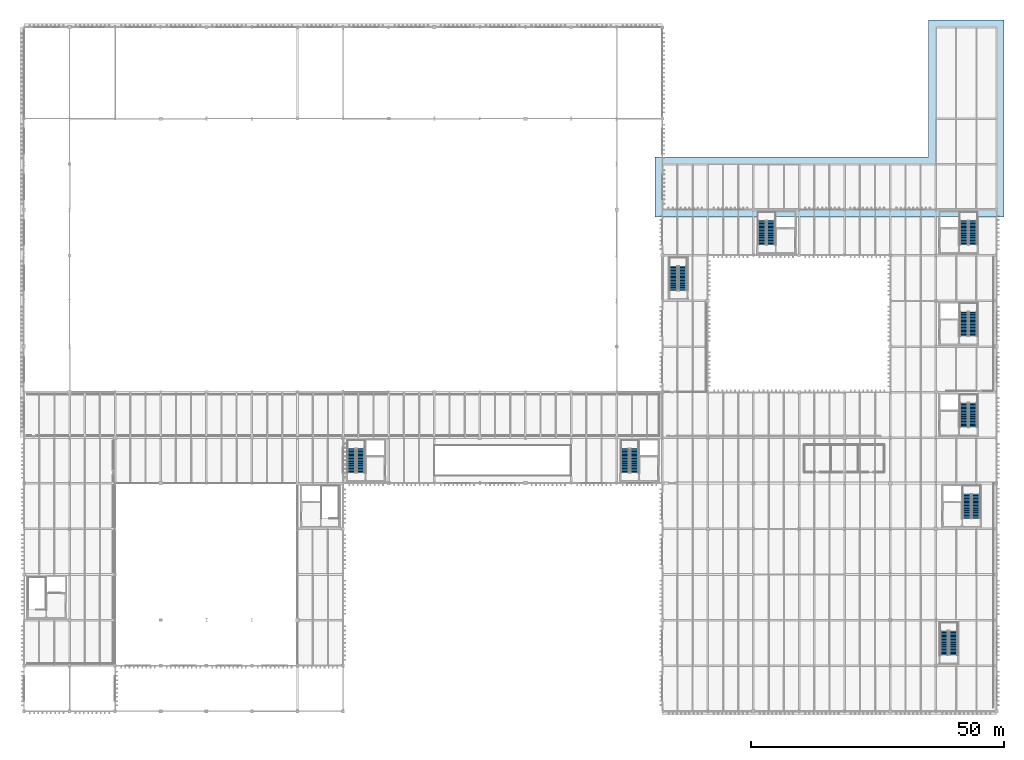
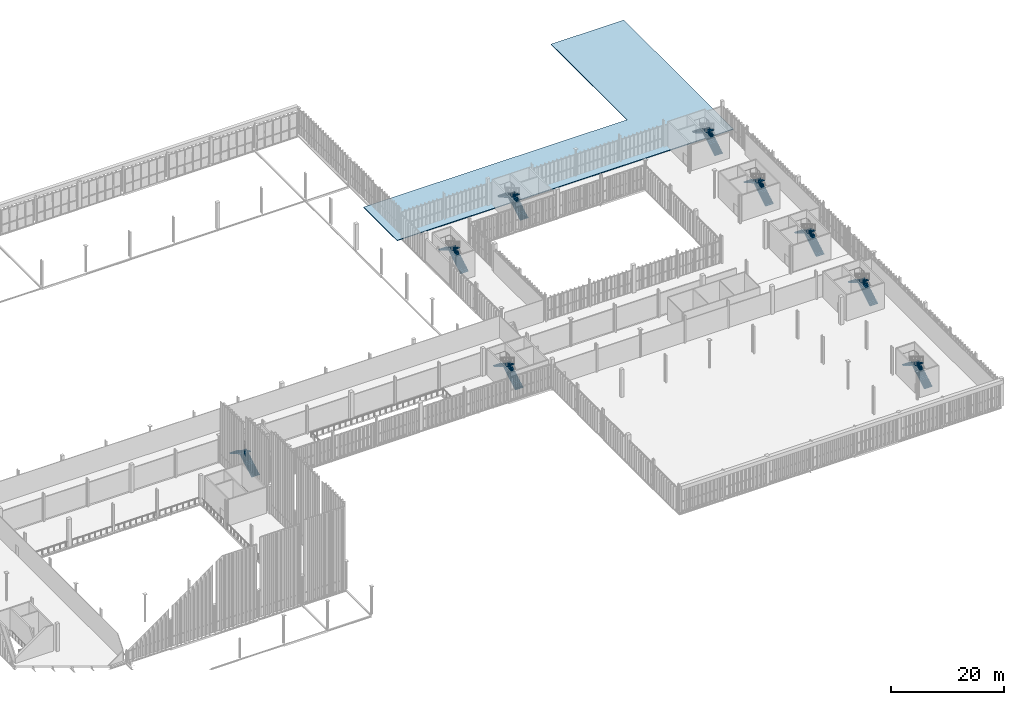
# One storey, part 212 of 237: 18 stair flights, 1 roof, 9 elements without a shape of their own.
"""IFC4 building model written with IfcOpenShell, lengths in metres."""

from ifc_helpers import new_model, si_unit, direction, frame, origin, place, context, subcontext, project, spatial, polyline, outline, extrude, material, layer, layer_set, type_object, element, aggregate, save


model = new_model("IFC4")

# Units and contexts
model_context = context("Model", 3, precision=1e-05, world=origin(), true_north=direction((0.0, 1.0)))
body_context = subcontext(model_context, "Body", "Model", "MODEL_VIEW")
ifc_project = project(units=[si_unit("LENGTHUNIT", "METRE"), si_unit("AREAUNIT", "SQUARE_METRE"), si_unit("VOLUMEUNIT", "CUBIC_METRE"), si_unit("PLANEANGLEUNIT", "RADIAN"), si_unit("MASSUNIT", "GRAM", prefix="KILO")], contexts=[model_context])

# Site, building, storey
site_placement = place(None, origin())
site = spatial("IfcSite", under=ifc_project, at=site_placement, CompositionType="ELEMENT")
building_placement = place(site_placement, origin())
building = spatial("IfcBuilding", under=site, at=building_placement, Name="Barlavento Convention Centre", CompositionType="ELEMENT")
storey_placement = place(building_placement, frame((0.0, 0.0, 12.0)))
storey = spatial("IfcBuildingStorey", under=building, at=storey_placement, Name="L02", CompositionType="ELEMENT", Elevation=12.0)

# Stair, stair flights
ifc_material_1 = material(Name="Concrete C40/50", Category="concrete")
stair_type_1 = type_object("IfcStairType", Name="ARC-STR-DOG-1600", PredefinedType="HALF_TURN_STAIR", material=ifc_material_1)
stair_1_placement = place(storey_placement, origin())
stair_1 = element("IfcStair", 1, at=stair_1_placement, inside=storey, type_object=stair_type_1, Name="L02 ST12", PredefinedType="HALF_TURN_STAIR")
stair_flight_type_1 = type_object("IfcStairFlightType", Name="ARC-FLT-STR-1600", PredefinedType="STRAIGHT", material=ifc_material_1)
stair_flight_1_placement = place(storey_placement, frame((130.050048828125, 83.070068359375, 0.0), z_axis=(0.0, 0.0, 1.0), x_axis=(0.0, 1.0, 0.0)))
stair_flight_1 = element("IfcStairFlight", 2, at=stair_flight_1_placement, type_object=stair_flight_type_1, Name="ST12 flight 1", NumberOfRisers=18, NumberOfTreads=17, PredefinedType="STRAIGHT", RiserHeight=0.166666667, TreadLength=0.28, context=body_context, shape_type="SweptSolid", body=[
    extrude(outline(polyline([(0.0, 0.0), (0.0, 0.166748046875), (0.280029296875, 0.166748046875), (0.280029296875, 0.333251953125), (0.56005859375, 0.333251953125), (0.56005859375, 0.5), (0.840087890625, 0.5), (0.840087890625, 0.666748046875), (1.1201171875, 0.666748046875), (1.1201171875, 0.833251953125), (1.39990234375, 0.833251953125), (1.39990234375, 1.0), (1.679931640625, 1.0), (1.679931640625, 1.166748046875), (1.9599609375, 1.166748046875), (1.9599609375, 1.333251953125), (2.239990234375, 1.333251953125), (2.239990234375, 1.5), (2.52001953125, 1.5), (2.52001953125, 1.666748046875), (2.800048828125, 1.666748046875), (2.800048828125, 1.833251953125), (3.080078125, 1.833251953125), (3.080078125, 2.0), (3.360107421875, 2.0), (3.360107421875, 2.166748046875), (3.639892578125, 2.166748046875), (3.639892578125, 2.333251953125), (3.919921875, 2.333251953125), (3.919921875, 2.5), (4.199951171875, 2.5), (4.199951171875, 2.666748046875), (4.47998046875, 2.666748046875), (4.47998046875, 2.833251953125), (4.760009765625, 2.833251953125), (4.760009765625, 3.0), (4.760009765625, 2.658935546875), (0.29296875, 0.0), (0.0, 0.0)])), frame((0.0, 0.800048828125, 0.0), z_axis=(0.0, -1.0, 0.0), x_axis=(1.0, 0.0, 0.0)), (0.0, 0.0, 1.0), 1.60009765625),
])
stair_flight_2_placement = place(storey_placement, frame((128.25, 87.830078125, 3.0), z_axis=(0.0, 0.0, 1.0), x_axis=(0.0, -1.0, 0.0)))
stair_flight_2 = element("IfcStairFlight", 3, at=stair_flight_2_placement, type_object=stair_flight_type_1, Name="ST12 flight 2", NumberOfRisers=18, NumberOfTreads=17, PredefinedType="STRAIGHT", RiserHeight=0.166666667, TreadLength=0.28, context=body_context, shape_type="SweptSolid", body=[
    extrude(outline(polyline([(0.0, 0.0), (0.0, 0.166748046875), (0.280029296875, 0.166748046875), (0.280029296875, 0.333251953125), (0.56005859375, 0.333251953125), (0.56005859375, 0.5), (0.840087890625, 0.5), (0.840087890625, 0.666748046875), (1.1201171875, 0.666748046875), (1.1201171875, 0.833251953125), (1.39990234375, 0.833251953125), (1.39990234375, 1.0), (1.679931640625, 1.0), (1.679931640625, 1.166748046875), (1.9599609375, 1.166748046875), (1.9599609375, 1.333251953125), (2.239990234375, 1.333251953125), (2.239990234375, 1.5), (2.52001953125, 1.5), (2.52001953125, 1.666748046875), (2.800048828125, 1.666748046875), (2.800048828125, 1.833251953125), (3.080078125, 1.833251953125), (3.080078125, 2.0), (3.360107421875, 2.0), (3.360107421875, 2.166748046875), (3.639892578125, 2.166748046875), (3.639892578125, 2.333251953125), (3.919921875, 2.333251953125), (3.919921875, 2.5), (4.199951171875, 2.5), (4.199951171875, 2.666748046875), (4.47998046875, 2.666748046875), (4.47998046875, 2.833251953125), (4.760009765625, 2.833251953125), (4.760009765625, 3.0), (4.760009765625, 2.658935546875), (0.29296875, 0.0), (0.0, 0.0)])), frame((0.0, 0.800048828125, 0.0), z_axis=(0.0, -1.0, 0.0), x_axis=(1.0, 0.0, 0.0)), (0.0, 0.0, 1.0), 1.60009765625),
])
aggregate(stair_1, [stair_flight_1, stair_flight_2])

stair_type_2 = type_object("IfcStairType", Name="ARC-STR-DOG-1620", PredefinedType="HALF_TURN_STAIR", material=ifc_material_1)
stair_2_placement = place(storey_placement, origin())
stair_2 = element("IfcStair", 4, at=stair_2_placement, inside=storey, type_object=stair_type_2, Name="L02 ST03", PredefinedType="HALF_TURN_STAIR")
stair_flight_type_2 = type_object("IfcStairFlightType", Name="ARC-FLT-STR-1620", PredefinedType="STRAIGHT", material=ifc_material_1)
stair_flight_3_placement = place(storey_placement, frame((66.47998046875, 47.090087890625, 0.0), z_axis=(0.0, 0.0, 1.0), x_axis=(0.0, 1.0, 0.0)))
stair_flight_3 = element("IfcStairFlight", 5, at=stair_flight_3_placement, type_object=stair_flight_type_2, Name="ST03 flight 1", NumberOfRisers=18, NumberOfTreads=17, PredefinedType="STRAIGHT", RiserHeight=0.166666667, TreadLength=0.28, context=body_context, shape_type="SweptSolid", body=[
    extrude(outline(polyline([(0.0, 0.0), (0.0, 0.166748046875), (0.280029296875, 0.166748046875), (0.280029296875, 0.333251953125), (0.56005859375, 0.333251953125), (0.56005859375, 0.5), (0.840087890625, 0.5), (0.840087890625, 0.666748046875), (1.1201171875, 0.666748046875), (1.1201171875, 0.833251953125), (1.39990234375, 0.833251953125), (1.39990234375, 1.0), (1.679931640625, 1.0), (1.679931640625, 1.166748046875), (1.9599609375, 1.166748046875), (1.9599609375, 1.333251953125), (2.239990234375, 1.333251953125), (2.239990234375, 1.5), (2.52001953125, 1.5), (2.52001953125, 1.666748046875), (2.800048828125, 1.666748046875), (2.800048828125, 1.833251953125), (3.080078125, 1.833251953125), (3.080078125, 2.0), (3.360107421875, 2.0), (3.360107421875, 2.166748046875), (3.639892578125, 2.166748046875), (3.639892578125, 2.333251953125), (3.919921875, 2.333251953125), (3.919921875, 2.5), (4.199951171875, 2.5), (4.199951171875, 2.666748046875), (4.47998046875, 2.666748046875), (4.47998046875, 2.833251953125), (4.760009765625, 2.833251953125), (4.760009765625, 3.0), (4.760009765625, 2.658935546875), (0.29296875, 0.0), (0.0, 0.0)])), frame((0.0, 0.81005859375, 0.0), z_axis=(0.0, -1.0, 0.0), x_axis=(1.0, 0.0, 0.0)), (0.0, 0.0, 1.0), 1.6201171875),
])
stair_flight_4_placement = place(storey_placement, frame((64.659912109375, 51.85009765625, 3.0), z_axis=(0.0, 0.0, 1.0), x_axis=(0.0, -1.0, 0.0)))
stair_flight_4 = element("IfcStairFlight", 6, at=stair_flight_4_placement, type_object=stair_flight_type_2, Name="ST03 flight 2", NumberOfRisers=18, NumberOfTreads=17, PredefinedType="STRAIGHT", RiserHeight=0.166666667, TreadLength=0.28, context=body_context, shape_type="SweptSolid", body=[
    extrude(outline(polyline([(0.0, 0.0), (0.0, 0.166748046875), (0.280029296875, 0.166748046875), (0.280029296875, 0.333251953125), (0.56005859375, 0.333251953125), (0.56005859375, 0.5), (0.840087890625, 0.5), (0.840087890625, 0.666748046875), (1.1201171875, 0.666748046875), (1.1201171875, 0.833251953125), (1.39990234375, 0.833251953125), (1.39990234375, 1.0), (1.679931640625, 1.0), (1.679931640625, 1.166748046875), (1.9599609375, 1.166748046875), (1.9599609375, 1.333251953125), (2.239990234375, 1.333251953125), (2.239990234375, 1.5), (2.52001953125, 1.5), (2.52001953125, 1.666748046875), (2.800048828125, 1.666748046875), (2.800048828125, 1.833251953125), (3.080078125, 1.833251953125), (3.080078125, 2.0), (3.360107421875, 2.0), (3.360107421875, 2.166748046875), (3.639892578125, 2.166748046875), (3.639892578125, 2.333251953125), (3.919921875, 2.333251953125), (3.919921875, 2.5), (4.199951171875, 2.5), (4.199951171875, 2.666748046875), (4.47998046875, 2.666748046875), (4.47998046875, 2.833251953125), (4.760009765625, 2.833251953125), (4.760009765625, 3.0), (4.760009765625, 2.658935546875), (0.29296875, 0.0), (0.0, 0.0)])), frame((0.0, 0.81005859375, 0.0), z_axis=(0.0, -1.0, 0.0), x_axis=(1.0, 0.0, 0.0)), (0.0, 0.0, 1.0), 1.6201171875),
])
aggregate(stair_2, [stair_flight_3, stair_flight_4])

stair_3_placement = place(storey_placement, origin())
stair_3 = element("IfcStair", 7, at=stair_3_placement, inside=storey, type_object=stair_type_2, Name="L02 ST04", PredefinedType="HALF_TURN_STAIR")
stair_flight_5_placement = place(storey_placement, frame((120.47998046875, 47.090087890625, 0.0), z_axis=(0.0, 0.0, 1.0), x_axis=(0.0, 1.0, 0.0)))
stair_flight_5 = element("IfcStairFlight", 8, at=stair_flight_5_placement, type_object=stair_flight_type_2, Name="ST04 flight 1", NumberOfRisers=18, NumberOfTreads=17, PredefinedType="STRAIGHT", RiserHeight=0.166666667, TreadLength=0.28, context=body_context, shape_type="SweptSolid", body=[
    extrude(outline(polyline([(0.0, 0.0), (0.0, 0.166748046875), (0.280029296875, 0.166748046875), (0.280029296875, 0.333251953125), (0.56005859375, 0.333251953125), (0.56005859375, 0.5), (0.840087890625, 0.5), (0.840087890625, 0.666748046875), (1.1201171875, 0.666748046875), (1.1201171875, 0.833251953125), (1.39990234375, 0.833251953125), (1.39990234375, 1.0), (1.679931640625, 1.0), (1.679931640625, 1.166748046875), (1.9599609375, 1.166748046875), (1.9599609375, 1.333251953125), (2.239990234375, 1.333251953125), (2.239990234375, 1.5), (2.52001953125, 1.5), (2.52001953125, 1.666748046875), (2.800048828125, 1.666748046875), (2.800048828125, 1.833251953125), (3.080078125, 1.833251953125), (3.080078125, 2.0), (3.360107421875, 2.0), (3.360107421875, 2.166748046875), (3.639892578125, 2.166748046875), (3.639892578125, 2.333251953125), (3.919921875, 2.333251953125), (3.919921875, 2.5), (4.199951171875, 2.5), (4.199951171875, 2.666748046875), (4.47998046875, 2.666748046875), (4.47998046875, 2.833251953125), (4.760009765625, 2.833251953125), (4.760009765625, 3.0), (4.760009765625, 2.658935546875), (0.29296875, 0.0), (0.0, 0.0)])), frame((0.0, 0.81005859375, 0.0), z_axis=(0.0, -1.0, 0.0), x_axis=(1.0, 0.0, 0.0)), (0.0, 0.0, 1.0), 1.6201171875),
])
stair_flight_6_placement = place(storey_placement, frame((118.659912109375, 51.85009765625, 3.0), z_axis=(0.0, 0.0, 1.0), x_axis=(0.0, -1.0, 0.0)))
stair_flight_6 = element("IfcStairFlight", 9, at=stair_flight_6_placement, type_object=stair_flight_type_2, Name="ST04 flight 2", NumberOfRisers=18, NumberOfTreads=17, PredefinedType="STRAIGHT", RiserHeight=0.166666667, TreadLength=0.28, context=body_context, shape_type="SweptSolid", body=[
    extrude(outline(polyline([(0.0, 0.0), (0.0, 0.166748046875), (0.280029296875, 0.166748046875), (0.280029296875, 0.333251953125), (0.56005859375, 0.333251953125), (0.56005859375, 0.5), (0.840087890625, 0.5), (0.840087890625, 0.666748046875), (1.1201171875, 0.666748046875), (1.1201171875, 0.833251953125), (1.39990234375, 0.833251953125), (1.39990234375, 1.0), (1.679931640625, 1.0), (1.679931640625, 1.166748046875), (1.9599609375, 1.166748046875), (1.9599609375, 1.333251953125), (2.239990234375, 1.333251953125), (2.239990234375, 1.5), (2.52001953125, 1.5), (2.52001953125, 1.666748046875), (2.800048828125, 1.666748046875), (2.800048828125, 1.833251953125), (3.080078125, 1.833251953125), (3.080078125, 2.0), (3.360107421875, 2.0), (3.360107421875, 2.166748046875), (3.639892578125, 2.166748046875), (3.639892578125, 2.333251953125), (3.919921875, 2.333251953125), (3.919921875, 2.5), (4.199951171875, 2.5), (4.199951171875, 2.666748046875), (4.47998046875, 2.666748046875), (4.47998046875, 2.833251953125), (4.760009765625, 2.833251953125), (4.760009765625, 3.0), (4.760009765625, 2.658935546875), (0.29296875, 0.0), (0.0, 0.0)])), frame((0.0, 0.81005859375, 0.0), z_axis=(0.0, -1.0, 0.0), x_axis=(1.0, 0.0, 0.0)), (0.0, 0.0, 1.0), 1.6201171875),
])
aggregate(stair_3, [stair_flight_5, stair_flight_6])

stair_4_placement = place(storey_placement, origin())
stair_4 = element("IfcStair", 10, at=stair_4_placement, inside=storey, type_object=stair_type_2, Name="L02 ST05", PredefinedType="HALF_TURN_STAIR")
stair_flight_7_placement = place(storey_placement, frame((187.340087890625, 56.090087890625, 0.0), z_axis=(0.0, 0.0, 1.0), x_axis=(0.0, 1.0, 0.0)))
stair_flight_7 = element("IfcStairFlight", 11, at=stair_flight_7_placement, type_object=stair_flight_type_2, Name="ST05 flight 1", NumberOfRisers=18, NumberOfTreads=17, PredefinedType="STRAIGHT", RiserHeight=0.166666667, TreadLength=0.28, context=body_context, shape_type="SweptSolid", body=[
    extrude(outline(polyline([(0.0, 0.0), (0.0, 0.166748046875), (0.280029296875, 0.166748046875), (0.280029296875, 0.333251953125), (0.56005859375, 0.333251953125), (0.56005859375, 0.5), (0.840087890625, 0.5), (0.840087890625, 0.666748046875), (1.1201171875, 0.666748046875), (1.1201171875, 0.833251953125), (1.39990234375, 0.833251953125), (1.39990234375, 1.0), (1.679931640625, 1.0), (1.679931640625, 1.166748046875), (1.9599609375, 1.166748046875), (1.9599609375, 1.333251953125), (2.239990234375, 1.333251953125), (2.239990234375, 1.5), (2.52001953125, 1.5), (2.52001953125, 1.666748046875), (2.800048828125, 1.666748046875), (2.800048828125, 1.833251953125), (3.080078125, 1.833251953125), (3.080078125, 2.0), (3.360107421875, 2.0), (3.360107421875, 2.166748046875), (3.639892578125, 2.166748046875), (3.639892578125, 2.333251953125), (3.919921875, 2.333251953125), (3.919921875, 2.5), (4.199951171875, 2.5), (4.199951171875, 2.666748046875), (4.47998046875, 2.666748046875), (4.47998046875, 2.833251953125), (4.760009765625, 2.833251953125), (4.760009765625, 3.0), (4.760009765625, 2.658935546875), (0.29296875, 0.0), (0.0, 0.0)])), frame((0.0, 0.81005859375, 0.0), z_axis=(0.0, -1.0, 0.0), x_axis=(1.0, 0.0, 0.0)), (0.0, 0.0, 1.0), 1.6201171875),
])
stair_flight_8_placement = place(storey_placement, frame((185.52001953125, 60.85009765625, 3.0), z_axis=(0.0, 0.0, 1.0), x_axis=(0.0, -1.0, 0.0)))
stair_flight_8 = element("IfcStairFlight", 12, at=stair_flight_8_placement, type_object=stair_flight_type_2, Name="ST05 flight 2", NumberOfRisers=18, NumberOfTreads=17, PredefinedType="STRAIGHT", RiserHeight=0.166666667, TreadLength=0.28, context=body_context, shape_type="SweptSolid", body=[
    extrude(outline(polyline([(0.0, 0.0), (0.0, 0.166748046875), (0.280029296875, 0.166748046875), (0.280029296875, 0.333251953125), (0.56005859375, 0.333251953125), (0.56005859375, 0.5), (0.840087890625, 0.5), (0.840087890625, 0.666748046875), (1.1201171875, 0.666748046875), (1.1201171875, 0.833251953125), (1.39990234375, 0.833251953125), (1.39990234375, 1.0), (1.679931640625, 1.0), (1.679931640625, 1.166748046875), (1.9599609375, 1.166748046875), (1.9599609375, 1.333251953125), (2.239990234375, 1.333251953125), (2.239990234375, 1.5), (2.52001953125, 1.5), (2.52001953125, 1.666748046875), (2.800048828125, 1.666748046875), (2.800048828125, 1.833251953125), (3.080078125, 1.833251953125), (3.080078125, 2.0), (3.360107421875, 2.0), (3.360107421875, 2.166748046875), (3.639892578125, 2.166748046875), (3.639892578125, 2.333251953125), (3.919921875, 2.333251953125), (3.919921875, 2.5), (4.199951171875, 2.5), (4.199951171875, 2.666748046875), (4.47998046875, 2.666748046875), (4.47998046875, 2.833251953125), (4.760009765625, 2.833251953125), (4.760009765625, 3.0), (4.760009765625, 2.658935546875), (0.29296875, 0.0), (0.0, 0.0)])), frame((0.0, 0.81005859375, 0.0), z_axis=(0.0, -1.0, 0.0), x_axis=(1.0, 0.0, 0.0)), (0.0, 0.0, 1.0), 1.6201171875),
])
aggregate(stair_4, [stair_flight_7, stair_flight_8])

stair_5_placement = place(storey_placement, origin())
stair_5 = element("IfcStair", 13, at=stair_5_placement, inside=storey, type_object=stair_type_2, Name="L02 ST06", PredefinedType="HALF_TURN_STAIR")
stair_flight_9_placement = place(storey_placement, frame((187.93994140625, 38.090087890625, 0.0), z_axis=(0.0, 0.0, 1.0), x_axis=(0.0, 1.0, 0.0)))
stair_flight_9 = element("IfcStairFlight", 14, at=stair_flight_9_placement, type_object=stair_flight_type_2, Name="ST06 flight 1", NumberOfRisers=18, NumberOfTreads=17, PredefinedType="STRAIGHT", RiserHeight=0.166666667, TreadLength=0.28, context=body_context, shape_type="SweptSolid", body=[
    extrude(outline(polyline([(0.0, 0.0), (0.0, 0.166748046875), (0.280029296875, 0.166748046875), (0.280029296875, 0.333251953125), (0.56005859375, 0.333251953125), (0.56005859375, 0.5), (0.840087890625, 0.5), (0.840087890625, 0.666748046875), (1.1201171875, 0.666748046875), (1.1201171875, 0.833251953125), (1.39990234375, 0.833251953125), (1.39990234375, 1.0), (1.679931640625, 1.0), (1.679931640625, 1.166748046875), (1.9599609375, 1.166748046875), (1.9599609375, 1.333251953125), (2.239990234375, 1.333251953125), (2.239990234375, 1.5), (2.52001953125, 1.5), (2.52001953125, 1.666748046875), (2.800048828125, 1.666748046875), (2.800048828125, 1.833251953125), (3.080078125, 1.833251953125), (3.080078125, 2.0), (3.360107421875, 2.0), (3.360107421875, 2.166748046875), (3.639892578125, 2.166748046875), (3.639892578125, 2.333251953125), (3.919921875, 2.333251953125), (3.919921875, 2.5), (4.199951171875, 2.5), (4.199951171875, 2.666748046875), (4.47998046875, 2.666748046875), (4.47998046875, 2.833251953125), (4.760009765625, 2.833251953125), (4.760009765625, 3.0), (4.760009765625, 2.658935546875), (0.29296875, 0.0), (0.0, 0.0)])), frame((0.0, 0.81005859375, 0.0), z_axis=(0.0, -1.0, 0.0), x_axis=(1.0, 0.0, 0.0)), (0.0, 0.0, 1.0), 1.6201171875),
])
stair_flight_10_placement = place(storey_placement, frame((186.1201171875, 42.85009765625, 3.0), z_axis=(0.0, 0.0, 1.0), x_axis=(0.0, -1.0, 0.0)))
stair_flight_10 = element("IfcStairFlight", 15, at=stair_flight_10_placement, type_object=stair_flight_type_2, Name="ST06 flight 2", NumberOfRisers=18, NumberOfTreads=17, PredefinedType="STRAIGHT", RiserHeight=0.166666667, TreadLength=0.28, context=body_context, shape_type="SweptSolid", body=[
    extrude(outline(polyline([(0.0, 0.0), (0.0, 0.166748046875), (0.280029296875, 0.166748046875), (0.280029296875, 0.333251953125), (0.56005859375, 0.333251953125), (0.56005859375, 0.5), (0.840087890625, 0.5), (0.840087890625, 0.666748046875), (1.1201171875, 0.666748046875), (1.1201171875, 0.833251953125), (1.39990234375, 0.833251953125), (1.39990234375, 1.0), (1.679931640625, 1.0), (1.679931640625, 1.166748046875), (1.9599609375, 1.166748046875), (1.9599609375, 1.333251953125), (2.239990234375, 1.333251953125), (2.239990234375, 1.5), (2.52001953125, 1.5), (2.52001953125, 1.666748046875), (2.800048828125, 1.666748046875), (2.800048828125, 1.833251953125), (3.080078125, 1.833251953125), (3.080078125, 2.0), (3.360107421875, 2.0), (3.360107421875, 2.166748046875), (3.639892578125, 2.166748046875), (3.639892578125, 2.333251953125), (3.919921875, 2.333251953125), (3.919921875, 2.5), (4.199951171875, 2.5), (4.199951171875, 2.666748046875), (4.47998046875, 2.666748046875), (4.47998046875, 2.833251953125), (4.760009765625, 2.833251953125), (4.760009765625, 3.0), (4.760009765625, 2.658935546875), (0.29296875, 0.0), (0.0, 0.0)])), frame((0.0, 0.81005859375, 0.0), z_axis=(0.0, -1.0, 0.0), x_axis=(1.0, 0.0, 0.0)), (0.0, 0.0, 1.0), 1.6201171875),
])
aggregate(stair_5, [stair_flight_9, stair_flight_10])

stair_6_placement = place(storey_placement, origin())
stair_6 = element("IfcStair", 16, at=stair_6_placement, inside=storey, type_object=stair_type_2, Name="L02 ST07", PredefinedType="HALF_TURN_STAIR")
stair_flight_11_placement = place(storey_placement, frame((187.340087890625, 74.090087890625, 0.0), z_axis=(0.0, 0.0, 1.0), x_axis=(0.0, 1.0, 0.0)))
stair_flight_11 = element("IfcStairFlight", 17, at=stair_flight_11_placement, type_object=stair_flight_type_2, Name="ST07 flight 1", NumberOfRisers=18, NumberOfTreads=17, PredefinedType="STRAIGHT", RiserHeight=0.166666667, TreadLength=0.28, context=body_context, shape_type="SweptSolid", body=[
    extrude(outline(polyline([(0.0, 0.0), (0.0, 0.166748046875), (0.280029296875, 0.166748046875), (0.280029296875, 0.333251953125), (0.56005859375, 0.333251953125), (0.56005859375, 0.5), (0.840087890625, 0.5), (0.840087890625, 0.666748046875), (1.1201171875, 0.666748046875), (1.1201171875, 0.833251953125), (1.39990234375, 0.833251953125), (1.39990234375, 1.0), (1.679931640625, 1.0), (1.679931640625, 1.166748046875), (1.9599609375, 1.166748046875), (1.9599609375, 1.333251953125), (2.239990234375, 1.333251953125), (2.239990234375, 1.5), (2.52001953125, 1.5), (2.52001953125, 1.666748046875), (2.800048828125, 1.666748046875), (2.800048828125, 1.833251953125), (3.080078125, 1.833251953125), (3.080078125, 2.0), (3.360107421875, 2.0), (3.360107421875, 2.166748046875), (3.639892578125, 2.166748046875), (3.639892578125, 2.333251953125), (3.919921875, 2.333251953125), (3.919921875, 2.5), (4.199951171875, 2.5), (4.199951171875, 2.666748046875), (4.47998046875, 2.666748046875), (4.47998046875, 2.833251953125), (4.760009765625, 2.833251953125), (4.760009765625, 3.0), (4.760009765625, 2.658935546875), (0.29296875, 0.0), (0.0, 0.0)])), frame((0.0, 0.81005859375, 0.0), z_axis=(0.0, -1.0, 0.0), x_axis=(1.0, 0.0, 0.0)), (0.0, 0.0, 1.0), 1.6201171875),
])
stair_flight_12_placement = place(storey_placement, frame((185.52001953125, 78.85009765625, 3.0), z_axis=(0.0, 0.0, 1.0), x_axis=(0.0, -1.0, 0.0)))
stair_flight_12 = element("IfcStairFlight", 18, at=stair_flight_12_placement, type_object=stair_flight_type_2, Name="ST07 flight 2", NumberOfRisers=18, NumberOfTreads=17, PredefinedType="STRAIGHT", RiserHeight=0.166666667, TreadLength=0.28, context=body_context, shape_type="SweptSolid", body=[
    extrude(outline(polyline([(0.0, 0.0), (0.0, 0.166748046875), (0.280029296875, 0.166748046875), (0.280029296875, 0.333251953125), (0.56005859375, 0.333251953125), (0.56005859375, 0.5), (0.840087890625, 0.5), (0.840087890625, 0.666748046875), (1.1201171875, 0.666748046875), (1.1201171875, 0.833251953125), (1.39990234375, 0.833251953125), (1.39990234375, 1.0), (1.679931640625, 1.0), (1.679931640625, 1.166748046875), (1.9599609375, 1.166748046875), (1.9599609375, 1.333251953125), (2.239990234375, 1.333251953125), (2.239990234375, 1.5), (2.52001953125, 1.5), (2.52001953125, 1.666748046875), (2.800048828125, 1.666748046875), (2.800048828125, 1.833251953125), (3.080078125, 1.833251953125), (3.080078125, 2.0), (3.360107421875, 2.0), (3.360107421875, 2.166748046875), (3.639892578125, 2.166748046875), (3.639892578125, 2.333251953125), (3.919921875, 2.333251953125), (3.919921875, 2.5), (4.199951171875, 2.5), (4.199951171875, 2.666748046875), (4.47998046875, 2.666748046875), (4.47998046875, 2.833251953125), (4.760009765625, 2.833251953125), (4.760009765625, 3.0), (4.760009765625, 2.658935546875), (0.29296875, 0.0), (0.0, 0.0)])), frame((0.0, 0.81005859375, 0.0), z_axis=(0.0, -1.0, 0.0), x_axis=(1.0, 0.0, 0.0)), (0.0, 0.0, 1.0), 1.6201171875),
])
aggregate(stair_6, [stair_flight_11, stair_flight_12])

stair_7_placement = place(storey_placement, origin())
stair_7 = element("IfcStair", 19, at=stair_7_placement, inside=storey, type_object=stair_type_2, Name="L02 ST08", PredefinedType="HALF_TURN_STAIR")
stair_flight_13_placement = place(storey_placement, frame((187.340087890625, 92.090087890625, 0.0), z_axis=(0.0, 0.0, 1.0), x_axis=(0.0, 1.0, 0.0)))
stair_flight_13 = element("IfcStairFlight", 20, at=stair_flight_13_placement, type_object=stair_flight_type_2, Name="ST08 flight 1", NumberOfRisers=18, NumberOfTreads=17, PredefinedType="STRAIGHT", RiserHeight=0.166666667, TreadLength=0.28, context=body_context, shape_type="SweptSolid", body=[
    extrude(outline(polyline([(0.0, 0.0), (0.0, 0.166748046875), (0.280029296875, 0.166748046875), (0.280029296875, 0.333251953125), (0.56005859375, 0.333251953125), (0.56005859375, 0.5), (0.840087890625, 0.5), (0.840087890625, 0.666748046875), (1.1201171875, 0.666748046875), (1.1201171875, 0.833251953125), (1.39990234375, 0.833251953125), (1.39990234375, 1.0), (1.679931640625, 1.0), (1.679931640625, 1.166748046875), (1.9599609375, 1.166748046875), (1.9599609375, 1.333251953125), (2.239990234375, 1.333251953125), (2.239990234375, 1.5), (2.52001953125, 1.5), (2.52001953125, 1.666748046875), (2.800048828125, 1.666748046875), (2.800048828125, 1.833251953125), (3.080078125, 1.833251953125), (3.080078125, 2.0), (3.360107421875, 2.0), (3.360107421875, 2.166748046875), (3.639892578125, 2.166748046875), (3.639892578125, 2.333251953125), (3.919921875, 2.333251953125), (3.919921875, 2.5), (4.199951171875, 2.5), (4.199951171875, 2.666748046875), (4.47998046875, 2.666748046875), (4.47998046875, 2.833251953125), (4.760009765625, 2.833251953125), (4.760009765625, 3.0), (4.760009765625, 2.658935546875), (0.29296875, 0.0), (0.0, 0.0)])), frame((0.0, 0.81005859375, 0.0), z_axis=(0.0, -1.0, 0.0), x_axis=(1.0, 0.0, 0.0)), (0.0, 0.0, 1.0), 1.6201171875),
])
stair_flight_14_placement = place(storey_placement, frame((185.52001953125, 96.85009765625, 3.0), z_axis=(0.0, 0.0, 1.0), x_axis=(0.0, -1.0, 0.0)))
stair_flight_14 = element("IfcStairFlight", 21, at=stair_flight_14_placement, type_object=stair_flight_type_2, Name="ST08 flight 2", NumberOfRisers=18, NumberOfTreads=17, PredefinedType="STRAIGHT", RiserHeight=0.166666667, TreadLength=0.28, context=body_context, shape_type="SweptSolid", body=[
    extrude(outline(polyline([(0.0, 0.0), (0.0, 0.166748046875), (0.280029296875, 0.166748046875), (0.280029296875, 0.333251953125), (0.56005859375, 0.333251953125), (0.56005859375, 0.5), (0.840087890625, 0.5), (0.840087890625, 0.666748046875), (1.1201171875, 0.666748046875), (1.1201171875, 0.833251953125), (1.39990234375, 0.833251953125), (1.39990234375, 1.0), (1.679931640625, 1.0), (1.679931640625, 1.166748046875), (1.9599609375, 1.166748046875), (1.9599609375, 1.333251953125), (2.239990234375, 1.333251953125), (2.239990234375, 1.5), (2.52001953125, 1.5), (2.52001953125, 1.666748046875), (2.800048828125, 1.666748046875), (2.800048828125, 1.833251953125), (3.080078125, 1.833251953125), (3.080078125, 2.0), (3.360107421875, 2.0), (3.360107421875, 2.166748046875), (3.639892578125, 2.166748046875), (3.639892578125, 2.333251953125), (3.919921875, 2.333251953125), (3.919921875, 2.5), (4.199951171875, 2.5), (4.199951171875, 2.666748046875), (4.47998046875, 2.666748046875), (4.47998046875, 2.833251953125), (4.760009765625, 2.833251953125), (4.760009765625, 3.0), (4.760009765625, 2.658935546875), (0.29296875, 0.0), (0.0, 0.0)])), frame((0.0, 0.81005859375, 0.0), z_axis=(0.0, -1.0, 0.0), x_axis=(1.0, 0.0, 0.0)), (0.0, 0.0, 1.0), 1.6201171875),
])
aggregate(stair_7, [stair_flight_13, stair_flight_14])

stair_8_placement = place(storey_placement, origin())
stair_8 = element("IfcStair", 22, at=stair_8_placement, inside=storey, type_object=stair_type_2, Name="L02 ST09", PredefinedType="HALF_TURN_STAIR")
stair_flight_15_placement = place(storey_placement, frame((147.47998046875, 92.090087890625, 0.0), z_axis=(0.0, 0.0, 1.0), x_axis=(0.0, 1.0, 0.0)))
stair_flight_15 = element("IfcStairFlight", 23, at=stair_flight_15_placement, type_object=stair_flight_type_2, Name="ST09 flight 1", NumberOfRisers=18, NumberOfTreads=17, PredefinedType="STRAIGHT", RiserHeight=0.166666667, TreadLength=0.28, context=body_context, shape_type="SweptSolid", body=[
    extrude(outline(polyline([(0.0, 0.0), (0.0, 0.166748046875), (0.280029296875, 0.166748046875), (0.280029296875, 0.333251953125), (0.56005859375, 0.333251953125), (0.56005859375, 0.5), (0.840087890625, 0.5), (0.840087890625, 0.666748046875), (1.1201171875, 0.666748046875), (1.1201171875, 0.833251953125), (1.39990234375, 0.833251953125), (1.39990234375, 1.0), (1.679931640625, 1.0), (1.679931640625, 1.166748046875), (1.9599609375, 1.166748046875), (1.9599609375, 1.333251953125), (2.239990234375, 1.333251953125), (2.239990234375, 1.5), (2.52001953125, 1.5), (2.52001953125, 1.666748046875), (2.800048828125, 1.666748046875), (2.800048828125, 1.833251953125), (3.080078125, 1.833251953125), (3.080078125, 2.0), (3.360107421875, 2.0), (3.360107421875, 2.166748046875), (3.639892578125, 2.166748046875), (3.639892578125, 2.333251953125), (3.919921875, 2.333251953125), (3.919921875, 2.5), (4.199951171875, 2.5), (4.199951171875, 2.666748046875), (4.47998046875, 2.666748046875), (4.47998046875, 2.833251953125), (4.760009765625, 2.833251953125), (4.760009765625, 3.0), (4.760009765625, 2.658935546875), (0.29296875, 0.0), (0.0, 0.0)])), frame((0.0, 0.81005859375, 0.0), z_axis=(0.0, -1.0, 0.0), x_axis=(1.0, 0.0, 0.0)), (0.0, 0.0, 1.0), 1.6201171875),
])
stair_flight_16_placement = place(storey_placement, frame((145.659912109375, 96.85009765625, 3.0), z_axis=(0.0, 0.0, 1.0), x_axis=(0.0, -1.0, 0.0)))
stair_flight_16 = element("IfcStairFlight", 24, at=stair_flight_16_placement, type_object=stair_flight_type_2, Name="ST09 flight 2", NumberOfRisers=18, NumberOfTreads=17, PredefinedType="STRAIGHT", RiserHeight=0.166666667, TreadLength=0.28, context=body_context, shape_type="SweptSolid", body=[
    extrude(outline(polyline([(0.0, 0.0), (0.0, 0.166748046875), (0.280029296875, 0.166748046875), (0.280029296875, 0.333251953125), (0.56005859375, 0.333251953125), (0.56005859375, 0.5), (0.840087890625, 0.5), (0.840087890625, 0.666748046875), (1.1201171875, 0.666748046875), (1.1201171875, 0.833251953125), (1.39990234375, 0.833251953125), (1.39990234375, 1.0), (1.679931640625, 1.0), (1.679931640625, 1.166748046875), (1.9599609375, 1.166748046875), (1.9599609375, 1.333251953125), (2.239990234375, 1.333251953125), (2.239990234375, 1.5), (2.52001953125, 1.5), (2.52001953125, 1.666748046875), (2.800048828125, 1.666748046875), (2.800048828125, 1.833251953125), (3.080078125, 1.833251953125), (3.080078125, 2.0), (3.360107421875, 2.0), (3.360107421875, 2.166748046875), (3.639892578125, 2.166748046875), (3.639892578125, 2.333251953125), (3.919921875, 2.333251953125), (3.919921875, 2.5), (4.199951171875, 2.5), (4.199951171875, 2.666748046875), (4.47998046875, 2.666748046875), (4.47998046875, 2.833251953125), (4.760009765625, 2.833251953125), (4.760009765625, 3.0), (4.760009765625, 2.658935546875), (0.29296875, 0.0), (0.0, 0.0)])), frame((0.0, 0.81005859375, 0.0), z_axis=(0.0, -1.0, 0.0), x_axis=(1.0, 0.0, 0.0)), (0.0, 0.0, 1.0), 1.6201171875),
])
aggregate(stair_8, [stair_flight_15, stair_flight_16])

stair_9_placement = place(storey_placement, origin())
stair_9 = element("IfcStair", 25, at=stair_9_placement, inside=storey, type_object=stair_type_2, Name="L02 ST14", PredefinedType="HALF_TURN_STAIR")
stair_flight_17_placement = place(storey_placement, frame((183.47998046875, 11.090087890625, 0.0), z_axis=(0.0, 0.0, 1.0), x_axis=(0.0, 1.0, 0.0)))
stair_flight_17 = element("IfcStairFlight", 26, at=stair_flight_17_placement, type_object=stair_flight_type_2, Name="ST14 flight 1", NumberOfRisers=18, NumberOfTreads=17, PredefinedType="STRAIGHT", RiserHeight=0.166666667, TreadLength=0.28, context=body_context, shape_type="SweptSolid", body=[
    extrude(outline(polyline([(0.0, 0.0), (0.0, 0.166748046875), (0.280029296875, 0.166748046875), (0.280029296875, 0.333251953125), (0.56005859375, 0.333251953125), (0.56005859375, 0.5), (0.840087890625, 0.5), (0.840087890625, 0.666748046875), (1.1201171875, 0.666748046875), (1.1201171875, 0.833251953125), (1.39990234375, 0.833251953125), (1.39990234375, 1.0), (1.679931640625, 1.0), (1.679931640625, 1.166748046875), (1.9599609375, 1.166748046875), (1.9599609375, 1.333251953125), (2.239990234375, 1.333251953125), (2.239990234375, 1.5), (2.52001953125, 1.5), (2.52001953125, 1.666748046875), (2.800048828125, 1.666748046875), (2.800048828125, 1.833251953125), (3.080078125, 1.833251953125), (3.080078125, 2.0), (3.360107421875, 2.0), (3.360107421875, 2.166748046875), (3.639892578125, 2.166748046875), (3.639892578125, 2.333251953125), (3.919921875, 2.333251953125), (3.919921875, 2.5), (4.199951171875, 2.5), (4.199951171875, 2.666748046875), (4.47998046875, 2.666748046875), (4.47998046875, 2.833251953125), (4.760009765625, 2.833251953125), (4.760009765625, 3.0), (4.760009765625, 2.658935546875), (0.29296875, 0.0), (0.0, 0.0)])), frame((0.0, 0.81005859375, 0.0), z_axis=(0.0, -1.0, 0.0), x_axis=(1.0, 0.0, 0.0)), (0.0, 0.0, 1.0), 1.6201171875),
])
stair_flight_18_placement = place(storey_placement, frame((181.659912109375, 15.85009765625, 3.0), z_axis=(0.0, 0.0, 1.0), x_axis=(0.0, -1.0, 0.0)))
stair_flight_18 = element("IfcStairFlight", 27, at=stair_flight_18_placement, type_object=stair_flight_type_2, Name="ST14 flight 2", NumberOfRisers=18, NumberOfTreads=17, PredefinedType="STRAIGHT", RiserHeight=0.166666667, TreadLength=0.28, context=body_context, shape_type="SweptSolid", body=[
    extrude(outline(polyline([(0.0, 0.0), (0.0, 0.166748046875), (0.280029296875, 0.166748046875), (0.280029296875, 0.333251953125), (0.56005859375, 0.333251953125), (0.56005859375, 0.5), (0.840087890625, 0.5), (0.840087890625, 0.666748046875), (1.1201171875, 0.666748046875), (1.1201171875, 0.833251953125), (1.39990234375, 0.833251953125), (1.39990234375, 1.0), (1.679931640625, 1.0), (1.679931640625, 1.166748046875), (1.9599609375, 1.166748046875), (1.9599609375, 1.333251953125), (2.239990234375, 1.333251953125), (2.239990234375, 1.5), (2.52001953125, 1.5), (2.52001953125, 1.666748046875), (2.800048828125, 1.666748046875), (2.800048828125, 1.833251953125), (3.080078125, 1.833251953125), (3.080078125, 2.0), (3.360107421875, 2.0), (3.360107421875, 2.166748046875), (3.639892578125, 2.166748046875), (3.639892578125, 2.333251953125), (3.919921875, 2.333251953125), (3.919921875, 2.5), (4.199951171875, 2.5), (4.199951171875, 2.666748046875), (4.47998046875, 2.666748046875), (4.47998046875, 2.833251953125), (4.760009765625, 2.833251953125), (4.760009765625, 3.0), (4.760009765625, 2.658935546875), (0.29296875, 0.0), (0.0, 0.0)])), frame((0.0, 0.81005859375, 0.0), z_axis=(0.0, -1.0, 0.0), x_axis=(1.0, 0.0, 0.0)), (0.0, 0.0, 1.0), 1.6201171875),
])
aggregate(stair_9, [stair_flight_17, stair_flight_18])

# Roof
ifc_material_2 = material(Name="Insulated waterproof flat roof deck", Category="concrete")
ifc_layer = layer(ifc_material_2, 0.050048828125)
ifc_layer_set = layer_set([ifc_layer], Name="ARC-ROOF-FLAT-WING")
roof_type = type_object("IfcRoofType", Name="ARC-ROOF-FLAT-WING", PredefinedType="FLAT_ROOF", material=ifc_layer_set)
roof_placement = place(storey_placement, origin())
element("IfcRoof", 28, at=roof_placement, inside=storey, type_object=roof_type, Name="V5 horizontal roof deck RS-201", PredefinedType="FLAT_ROOF", context=body_context, shape_type="SweptSolid", body=[
    extrude(outline(polyline([(124.550048828125, 97.550048828125), (124.550048828125, 109.449951171875), (178.550048828125, 109.449951171875), (178.550048828125, 136.449951171875), (193.449951171875, 136.449951171875), (193.449951171875, 97.550048828125), (124.550048828125, 97.550048828125)])), origin(), (0.0, 0.0, 1.0), 0.159912109375),
])

save(model, "model.ifc")
